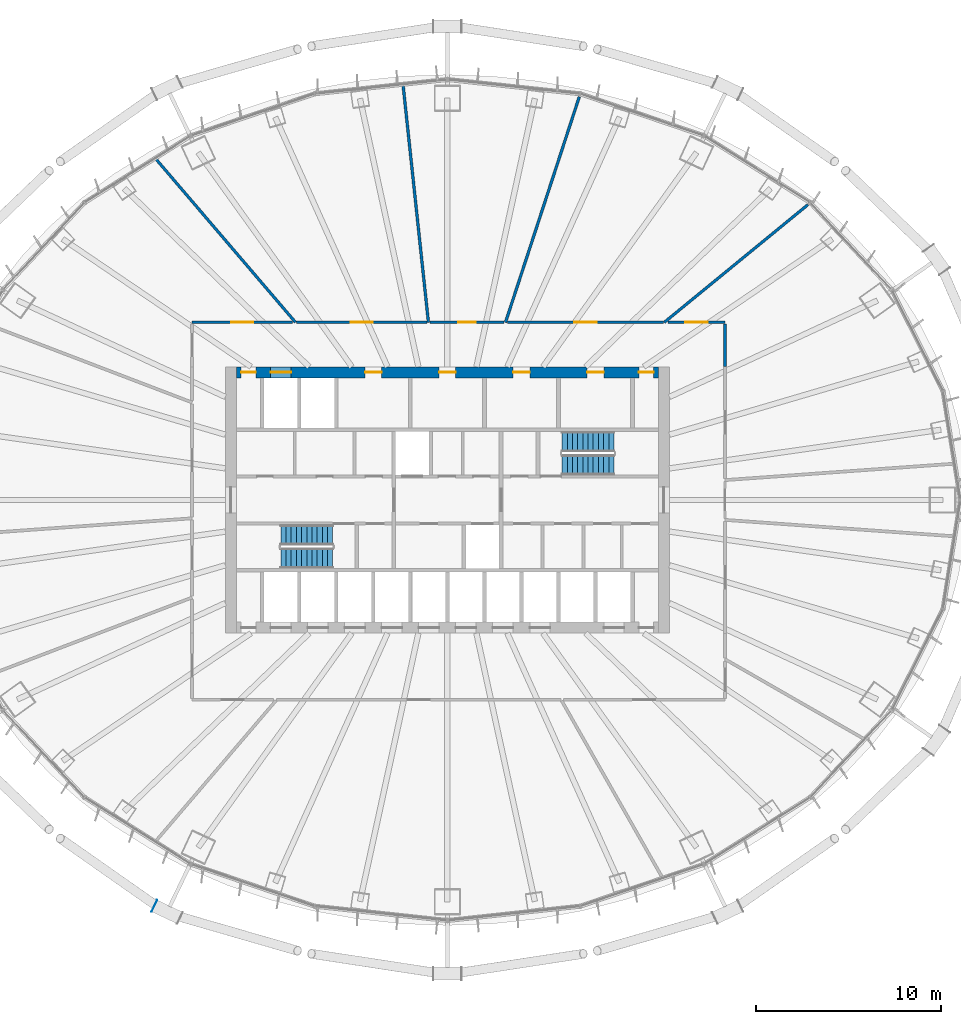
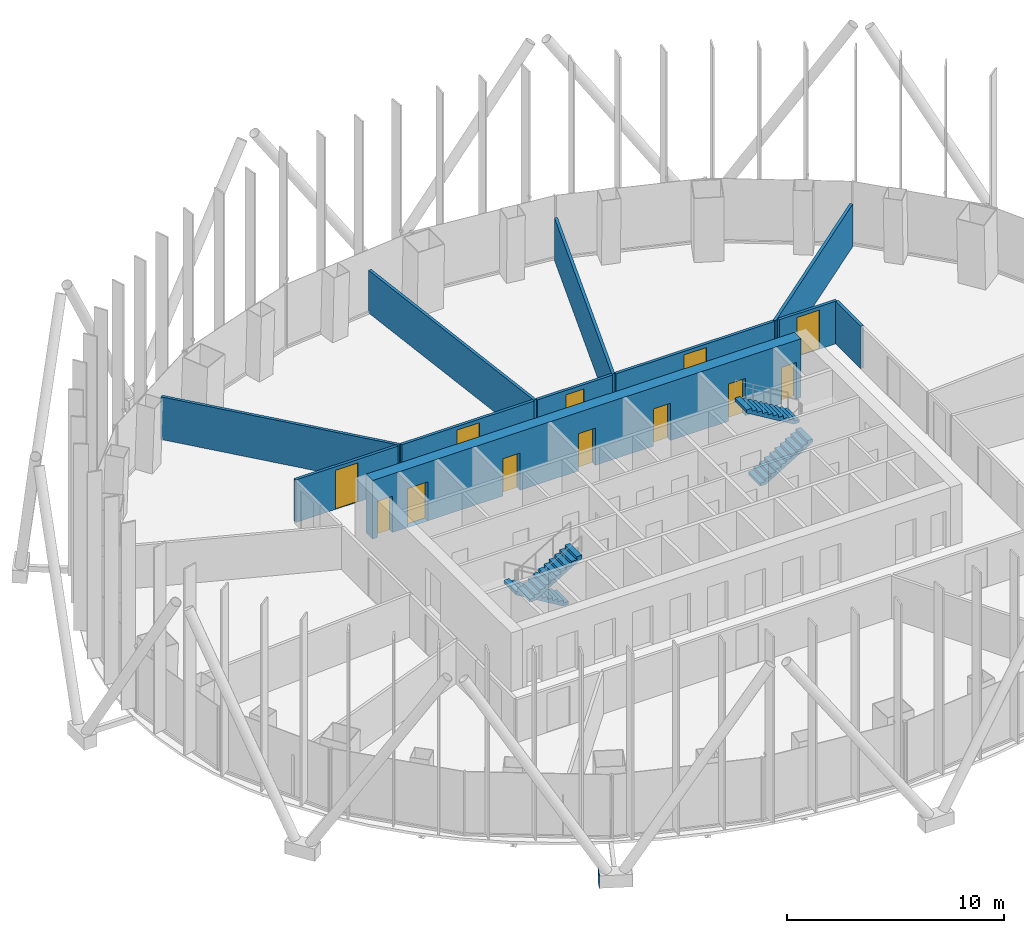
# One storey, part 10 of 22: 12 doors, 11 walls, 4 stair flights, 1 discrete accessory, 12 openings, 2 elements without a shape of their own.
"""IFC4 building model written with IfcOpenShell, lengths in metres."""

from ifc_helpers import new_model, si_unit, direction, frame, frame_2d, origin, origin_2d, place, context, subcontext, project, spatial, polyline, rectangle, outline, extrude, material, layer, layer_set, type_object, element, fill, aggregate, save


model = new_model("IFC4")

# Units and contexts
model_context = context("Model", 3, precision=1e-05, world=origin(), true_north=direction((0.0, 1.0)))
body_context = subcontext(model_context, "Body", "Model", "MODEL_VIEW")
ifc_project = project(units=[si_unit("LENGTHUNIT", "METRE"), si_unit("AREAUNIT", "SQUARE_METRE"), si_unit("VOLUMEUNIT", "CUBIC_METRE"), si_unit("PLANEANGLEUNIT", "RADIAN"), si_unit("MASSUNIT", "GRAM", prefix="KILO")], contexts=[model_context])

# Site, building, storey
site_placement = place(None, origin())
site = spatial("IfcSite", under=ifc_project, at=site_placement, CompositionType="ELEMENT")
building_placement = place(site_placement, origin())
building = spatial("IfcBuilding", under=site, at=building_placement, Name="Siaravel Broadcast Tower", CompositionType="ELEMENT")
storey_placement = place(building_placement, frame((0.0, 0.0, 48.199951171875)))
storey = spatial("IfcBuildingStorey", under=building, at=storey_placement, Name="L10", CompositionType="ELEMENT", Elevation=48.199951171875)

# Wall, openings, doors
ifc_material_1 = material(Name="Concrete C60/75", Category="concrete")
ifc_layer_1 = layer(ifc_material_1, 0.60009765625)
ifc_layer_set_1 = layer_set([ifc_layer_1], Name="Concrete C60/75")
wall_type_1 = type_object("IfcWallType", Name="Core wall 600", PredefinedType="SHEAR", material=ifc_layer_set_1)
wall_1_placement = place(storey_placement, frame((-11.39990234375, 6.89990234375, 0.0), z_axis=(0.0, 0.0, 1.0), x_axis=(1.0, 0.0, 0.0)))
wall_1 = element("IfcWall", 1, at=wall_1_placement, inside=storey, type_object=wall_type_1, Name="L10 core wall ON", PredefinedType="SHEAR", context=body_context, shape_type="SweptSolid", body=[
    extrude(rectangle(XDim=22.7998046875, YDim=0.60009765625, at=frame_2d((11.39990234375, 0.0))), origin(), (0.0, 0.0, 1.0), 3.300048828125),
])
opening_1_placement = place(wall_1_placement, frame((1.85009765625, 0.0, 0.0)))
opening_1 = element("IfcOpeningElement", 2, at=opening_1_placement, cuts=wall_1, Name="Opening LD-SV2-L10", PredefinedType="OPENING", context=body_context, shape_type="SweptSolid", body=[
    extrude(rectangle(XDim=1.10009765625, YDim=2.199951171875, at=frame_2d((0.550048828125, 1.10009765625))), frame((0.0, 0.31005859375, 0.0), z_axis=(0.0, -1.0, 0.0), x_axis=(1.0, 0.0, 0.0)), (0.0, 0.0, 1.0), 0.6201171875),
])
opening_2_placement = place(wall_1_placement, frame((6.949951171875, 0.0, 0.0)))
opening_2 = element("IfcOpeningElement", 3, at=opening_2_placement, cuts=wall_1, Name="Opening L10-DFN2", PredefinedType="OPENING", context=body_context, shape_type="SweptSolid", body=[
    extrude(rectangle(XDim=0.89990234375, YDim=2.10009765625, at=frame_2d((0.449951171875, 1.050048828125))), frame((0.0, 0.31005859375, 0.0), z_axis=(0.0, -1.0, 0.0), x_axis=(1.0, 0.0, 0.0)), (0.0, 0.0, 1.0), 0.6201171875),
])
opening_3_placement = place(wall_1_placement, frame((10.949951171875, 0.0, 0.0)))
opening_3 = element("IfcOpeningElement", 4, at=opening_3_placement, cuts=wall_1, Name="Opening L10-DFN4", PredefinedType="OPENING", context=body_context, shape_type="SweptSolid", body=[
    extrude(rectangle(XDim=0.89990234375, YDim=2.10009765625, at=frame_2d((0.449951171875, 1.050048828125))), frame((0.0, 0.31005859375, 0.0), z_axis=(0.0, -1.0, 0.0), x_axis=(1.0, 0.0, 0.0)), (0.0, 0.0, 1.0), 0.6201171875),
])
opening_4_placement = place(wall_1_placement, frame((14.949951171875, 0.0, 0.0)))
opening_4 = element("IfcOpeningElement", 5, at=opening_4_placement, cuts=wall_1, Name="Opening L10-DFN6", PredefinedType="OPENING", context=body_context, shape_type="SweptSolid", body=[
    extrude(rectangle(XDim=0.89990234375, YDim=2.10009765625, at=frame_2d((0.449951171875, 1.050048828125))), frame((0.0, 0.31005859375, 0.0), z_axis=(0.0, -1.0, 0.0), x_axis=(1.0, 0.0, 0.0)), (0.0, 0.0, 1.0), 0.6201171875),
])
opening_5_placement = place(wall_1_placement, frame((18.949951171875, 0.0, 0.0)))
opening_5 = element("IfcOpeningElement", 6, at=opening_5_placement, cuts=wall_1, Name="Opening L10-DFN8", PredefinedType="OPENING", context=body_context, shape_type="SweptSolid", body=[
    extrude(rectangle(XDim=0.89990234375, YDim=2.10009765625, at=frame_2d((0.449951171875, 1.050048828125))), frame((0.0, 0.31005859375, 0.0), z_axis=(0.0, -1.0, 0.0), x_axis=(1.0, 0.0, 0.0)), (0.0, 0.0, 1.0), 0.6201171875),
])
opening_6_placement = place(wall_1_placement, frame((0.25, 0.0, 0.0)))
opening_6 = element("IfcOpeningElement", 7, at=opening_6_placement, cuts=wall_1, Name="Opening L10-DRNW", PredefinedType="OPENING", context=body_context, shape_type="SweptSolid", body=[
    extrude(rectangle(XDim=0.800048828125, YDim=2.050048828125, at=frame_2d((0.39990234375, 1.02490234375))), frame((0.0, 0.31005859375, 0.0), z_axis=(0.0, -1.0, 0.0), x_axis=(1.0, 0.0, 0.0)), (0.0, 0.0, 1.0), 0.6201171875),
])
opening_7_placement = place(wall_1_placement, frame((21.75, 0.0, 0.0)))
opening_7 = element("IfcOpeningElement", 8, at=opening_7_placement, cuts=wall_1, Name="Opening L10-DRNE", PredefinedType="OPENING", context=body_context, shape_type="SweptSolid", body=[
    extrude(rectangle(XDim=0.800048828125, YDim=2.050048828125, at=frame_2d((0.39990234375, 1.02490234375))), frame((0.0, 0.31005859375, 0.0), z_axis=(0.0, -1.0, 0.0), x_axis=(1.0, 0.0, 0.0)), (0.0, 0.0, 1.0), 0.6201171875),
])
ifc_material_2 = material(Name="Timber veneer", Category="wood")
door_type_1 = type_object("IfcDoorType", Name="Core room door 900", OperationType="SINGLE_SWING_LEFT", PredefinedType="DOOR", material=ifc_material_2)
door_1_placement = place(opening_2_placement, origin())
door_1 = element("IfcDoor", 9, at=door_1_placement, inside=storey, type_object=door_type_1, Name="L10 door DFN2", OperationType="SINGLE_SWING_LEFT", OverallHeight=2.10009765625, OverallWidth=0.89990234375, PredefinedType="DOOR", context=body_context, shape_type="SweptSolid", body=[
    extrude(rectangle(XDim=0.89990234375, YDim=2.10009765625, at=frame_2d((0.449951171875, 1.050048828125))), frame((0.0, 0.02490234375, 0.0), z_axis=(0.0, -1.0, 0.0), x_axis=(1.0, 0.0, 0.0)), (0.0, 0.0, 1.0), 0.050048828125),
])
fill(opening_2, door_1)
door_2_placement = place(opening_3_placement, origin())
door_2 = element("IfcDoor", 10, at=door_2_placement, inside=storey, type_object=door_type_1, Name="L10 door DFN4", OperationType="SINGLE_SWING_LEFT", OverallHeight=2.10009765625, OverallWidth=0.89990234375, PredefinedType="DOOR", context=body_context, shape_type="SweptSolid", body=[
    extrude(rectangle(XDim=0.89990234375, YDim=2.10009765625, at=frame_2d((0.449951171875, 1.050048828125))), frame((0.0, 0.02490234375, 0.0), z_axis=(0.0, -1.0, 0.0), x_axis=(1.0, 0.0, 0.0)), (0.0, 0.0, 1.0), 0.050048828125),
])
fill(opening_3, door_2)
door_3_placement = place(opening_4_placement, origin())
door_3 = element("IfcDoor", 11, at=door_3_placement, inside=storey, type_object=door_type_1, Name="L10 door DFN6", OperationType="SINGLE_SWING_LEFT", OverallHeight=2.10009765625, OverallWidth=0.89990234375, PredefinedType="DOOR", context=body_context, shape_type="SweptSolid", body=[
    extrude(rectangle(XDim=0.89990234375, YDim=2.10009765625, at=frame_2d((0.449951171875, 1.050048828125))), frame((0.0, 0.02490234375, 0.0), z_axis=(0.0, -1.0, 0.0), x_axis=(1.0, 0.0, 0.0)), (0.0, 0.0, 1.0), 0.050048828125),
])
fill(opening_4, door_3)
door_4_placement = place(opening_5_placement, origin())
door_4 = element("IfcDoor", 12, at=door_4_placement, inside=storey, type_object=door_type_1, Name="L10 door DFN8", OperationType="SINGLE_SWING_LEFT", OverallHeight=2.10009765625, OverallWidth=0.89990234375, PredefinedType="DOOR", context=body_context, shape_type="SweptSolid", body=[
    extrude(rectangle(XDim=0.89990234375, YDim=2.10009765625, at=frame_2d((0.449951171875, 1.050048828125))), frame((0.0, 0.02490234375, 0.0), z_axis=(0.0, -1.0, 0.0), x_axis=(1.0, 0.0, 0.0)), (0.0, 0.0, 1.0), 0.050048828125),
])
fill(opening_5, door_4)
ifc_material_3 = material(Name="Steel", Category="steel")
door_type_2 = type_object("IfcDoorType", Name="Riser door 800", OperationType="SINGLE_SWING_LEFT", PredefinedType="DOOR", material=ifc_material_3)
door_5_placement = place(opening_6_placement, origin())
door_5 = element("IfcDoor", 13, at=door_5_placement, inside=storey, type_object=door_type_2, Name="L10 door DRNW", OperationType="SINGLE_SWING_LEFT", OverallHeight=2.050048828125, OverallWidth=0.800048828125, PredefinedType="DOOR", context=body_context, shape_type="SweptSolid", body=[
    extrude(rectangle(XDim=0.800048828125, YDim=2.050048828125, at=frame_2d((0.39990234375, 1.02490234375))), frame((0.0, 0.02490234375, 0.0), z_axis=(0.0, -1.0, 0.0), x_axis=(1.0, 0.0, 0.0)), (0.0, 0.0, 1.0), 0.050048828125),
])
fill(opening_6, door_5)
door_6_placement = place(opening_7_placement, origin())
door_6 = element("IfcDoor", 14, at=door_6_placement, inside=storey, type_object=door_type_2, Name="L10 door DRNE", OperationType="SINGLE_SWING_LEFT", OverallHeight=2.050048828125, OverallWidth=0.800048828125, PredefinedType="DOOR", context=body_context, shape_type="SweptSolid", body=[
    extrude(rectangle(XDim=0.800048828125, YDim=2.050048828125, at=frame_2d((0.39990234375, 1.02490234375))), frame((0.0, 0.02490234375, 0.0), z_axis=(0.0, -1.0, 0.0), x_axis=(1.0, 0.0, 0.0)), (0.0, 0.0, 1.0), 0.050048828125),
])
fill(opening_7, door_6)
ifc_material_4 = material(Name="Stainless steel 316L", Category="steel")
door_type_3 = type_object("IfcDoorType", Name="Service lift landing door 1100", OperationType="DOUBLE_DOOR_SLIDING", PredefinedType="DOOR", material=ifc_material_4)
door_7_placement = place(opening_1_placement, origin())
door_7 = element("IfcDoor", 15, at=door_7_placement, inside=storey, type_object=door_type_3, Name="Landing door SV2 L10", OperationType="DOUBLE_DOOR_SLIDING", OverallHeight=2.199951171875, OverallWidth=1.10009765625, PredefinedType="DOOR", context=body_context, shape_type="SweptSolid", body=[
    extrude(rectangle(XDim=1.10009765625, YDim=2.199951171875, at=frame_2d((0.550048828125, 1.10009765625))), frame((0.0, 0.02490234375, 0.0), z_axis=(0.0, -1.0, 0.0), x_axis=(1.0, 0.0, 0.0)), (0.0, 0.0, 1.0), 0.050048828125),
])
fill(opening_1, door_7)

# Wall, opening, door
ifc_material_5 = material(Name="Gypsum board partition", Category="gypsum")
ifc_layer_2 = layer(ifc_material_5, 0.14990234375)
ifc_layer_set_2 = layer_set([ifc_layer_2], Name="Gypsum board partition")
wall_type_2 = type_object("IfcWallType", Name="Corridor wall 150", PredefinedType="PARTITIONING", material=ifc_layer_set_2)
wall_2_placement = place(storey_placement, frame((11.67041015625, 9.60009765625, 0.0), z_axis=(0.0, 0.0, 1.0), x_axis=(-1.0, 0.0, 0.0)))
wall_2 = element("IfcWall", 16, at=wall_2_placement, inside=storey, type_object=wall_type_2, Name="L10 partition 15", PredefinedType="PARTITIONING", context=body_context, shape_type="SweptSolid", body=[
    extrude(rectangle(XDim=8.424560546875, YDim=0.14990234375, at=frame_2d((4.21240234375, 0.0))), origin(), (0.0, 0.0, 1.0), 2.400146484375),
])
opening_8_placement = place(wall_2_placement, frame((3.6123046875, 0.0, 0.0)))
opening_8 = element("IfcOpeningElement", 17, at=opening_8_placement, cuts=wall_2, Name="Opening L10-003", PredefinedType="OPENING", context=body_context, shape_type="SweptSolid", body=[
    extrude(rectangle(XDim=1.199951171875, YDim=2.199951171875, at=frame_2d((0.60009765625, 1.10009765625))), frame((0.0, 0.0849609375, 0.0), z_axis=(0.0, -1.0, 0.0), x_axis=(1.0, 0.0, 0.0)), (0.0, 0.0, 1.0), 0.169921875),
])
door_type_4 = type_object("IfcDoorType", Name="Office double door 1200", OperationType="DOUBLE_DOOR_SINGLE_SWING", PredefinedType="DOOR", material=ifc_material_2)
door_8_placement = place(opening_8_placement, origin())
door_8 = element("IfcDoor", 18, at=door_8_placement, inside=storey, type_object=door_type_4, Name="L10 door to Open plan newsroom", OperationType="DOUBLE_DOOR_SINGLE_SWING", OverallHeight=2.199951171875, OverallWidth=1.199951171875, PredefinedType="DOOR", context=body_context, shape_type="SweptSolid", body=[
    extrude(rectangle(XDim=1.199951171875, YDim=2.199951171875, at=frame_2d((0.60009765625, 1.10009765625))), frame((0.0, 0.02490234375, 0.0), z_axis=(0.0, -1.0, 0.0), x_axis=(1.0, 0.0, 0.0)), (0.0, 0.0, 1.0), 0.050048828125),
])
fill(opening_8, door_8)

wall_3_placement = place(storey_placement, frame((-1.11083984375, 9.60009765625, 0.0), z_axis=(0.0, 0.0, 1.0), x_axis=(-1.0, 0.0, 0.0)))
wall_3 = element("IfcWall", 19, at=wall_3_placement, inside=storey, type_object=wall_type_2, Name="L10 partition 16", PredefinedType="PARTITIONING", context=body_context, shape_type="SweptSolid", body=[
    extrude(rectangle(XDim=7.03662109375, YDim=0.14990234375, at=frame_2d((3.518310546875, 0.0))), origin(), (0.0, 0.0, 1.0), 2.400146484375),
])
opening_9_placement = place(wall_3_placement, frame((2.918212890625, 0.0, 0.0)))
opening_9 = element("IfcOpeningElement", 20, at=opening_9_placement, cuts=wall_3, Name="Opening L10-005", PredefinedType="OPENING", context=body_context, shape_type="SweptSolid", body=[
    extrude(rectangle(XDim=1.199951171875, YDim=2.199951171875, at=frame_2d((0.60009765625, 1.10009765625))), frame((0.0, 0.0849609375, 0.0), z_axis=(0.0, -1.0, 0.0), x_axis=(1.0, 0.0, 0.0)), (0.0, 0.0, 1.0), 0.169921875),
])
door_9_placement = place(opening_9_placement, origin())
door_9 = element("IfcDoor", 21, at=door_9_placement, inside=storey, type_object=door_type_4, Name="L10 door to Open plan newsroom", OperationType="DOUBLE_DOOR_SINGLE_SWING", OverallHeight=2.199951171875, OverallWidth=1.199951171875, PredefinedType="DOOR", context=body_context, shape_type="SweptSolid", body=[
    extrude(rectangle(XDim=1.199951171875, YDim=2.199951171875, at=frame_2d((0.60009765625, 1.10009765625))), frame((0.0, 0.02490234375, 0.0), z_axis=(0.0, -1.0, 0.0), x_axis=(1.0, 0.0, 0.0)), (0.0, 0.0, 1.0), 0.050048828125),
])
fill(opening_9, door_9)

wall_4_placement = place(storey_placement, frame((-8.37109375, 9.60009765625, 0.0), z_axis=(0.0, 0.0, 1.0), x_axis=(-1.0, 0.0, 0.0)))
wall_4 = element("IfcWall", 22, at=wall_4_placement, inside=storey, type_object=wall_type_2, Name="L10 partition 20", PredefinedType="PARTITIONING", context=body_context, shape_type="SweptSolid", body=[
    extrude(rectangle(XDim=5.428955078125, YDim=0.14990234375, at=frame_2d((2.71435546875, 0.0))), origin(), (0.0, 0.0, 1.0), 2.400146484375),
])
opening_10_placement = place(wall_4_placement, frame((2.114501953125, 0.0, 0.0)))
opening_10 = element("IfcOpeningElement", 23, at=opening_10_placement, cuts=wall_4, Name="Opening L10-006", PredefinedType="OPENING", context=body_context, shape_type="SweptSolid", body=[
    extrude(rectangle(XDim=1.199951171875, YDim=2.199951171875, at=frame_2d((0.60009765625, 1.10009765625))), frame((0.0, 0.0849609375, 0.0), z_axis=(0.0, -1.0, 0.0), x_axis=(1.0, 0.0, 0.0)), (0.0, 0.0, 1.0), 0.169921875),
])
door_10_placement = place(opening_10_placement, origin())
door_10 = element("IfcDoor", 24, at=door_10_placement, inside=storey, type_object=door_type_4, Name="L10 door to Open plan newsroom", OperationType="DOUBLE_DOOR_SINGLE_SWING", OverallHeight=2.199951171875, OverallWidth=1.199951171875, PredefinedType="DOOR", context=body_context, shape_type="SweptSolid", body=[
    extrude(rectangle(XDim=1.199951171875, YDim=2.199951171875, at=frame_2d((0.60009765625, 1.10009765625))), frame((0.0, 0.02490234375, 0.0), z_axis=(0.0, -1.0, 0.0), x_axis=(1.0, 0.0, 0.0)), (0.0, 0.0, 1.0), 0.050048828125),
])
fill(opening_10, door_10)

wall_5_placement = place(storey_placement, frame((3.067138671875, 9.60009765625, 0.0), z_axis=(0.0, 0.0, 1.0), x_axis=(-1.0, 0.0, 0.0)))
wall_5 = element("IfcWall", 25, at=wall_5_placement, inside=storey, type_object=wall_type_2, Name="L10 partition 23", PredefinedType="PARTITIONING", context=body_context, shape_type="SweptSolid", body=[
    extrude(rectangle(XDim=4.015869140625, YDim=0.14990234375, at=frame_2d((2.0078125, 0.0))), origin(), (0.0, 0.0, 1.0), 2.400146484375),
])
opening_11_placement = place(wall_5_placement, frame((1.532958984375, 0.0, 0.0)))
opening_11 = element("IfcOpeningElement", 26, at=opening_11_placement, cuts=wall_5, Name="Opening L10-004", PredefinedType="OPENING", context=body_context, shape_type="SweptSolid", body=[
    extrude(rectangle(XDim=0.949951171875, YDim=2.14990234375, at=frame_2d((0.47509765625, 1.074951171875))), frame((0.0, 0.0849609375, 0.0), z_axis=(0.0, -1.0, 0.0), x_axis=(1.0, 0.0, 0.0)), (0.0, 0.0, 1.0), 0.169921875),
])
door_type_5 = type_object("IfcDoorType", Name="Office door 950", OperationType="SINGLE_SWING_LEFT", PredefinedType="DOOR", material=ifc_material_2)
door_11_placement = place(opening_11_placement, origin())
door_11 = element("IfcDoor", 27, at=door_11_placement, inside=storey, type_object=door_type_5, Name="L10 door to Production office", OperationType="SINGLE_SWING_RIGHT", OverallHeight=2.14990234375, OverallWidth=0.949951171875, PredefinedType="DOOR", context=body_context, shape_type="SweptSolid", body=[
    extrude(rectangle(XDim=0.949951171875, YDim=2.14990234375, at=frame_2d((0.47509765625, 1.074951171875))), frame((0.0, 0.02490234375, 0.0), z_axis=(0.0, -1.0, 0.0), x_axis=(1.0, 0.0, 0.0)), (0.0, 0.0, 1.0), 0.050048828125),
])
fill(opening_11, door_11)

wall_6_placement = place(storey_placement, frame((15.0, 9.60009765625, 0.0), z_axis=(0.0, 0.0, 1.0), x_axis=(-1.0, 0.0, 0.0)))
wall_6 = element("IfcWall", 28, at=wall_6_placement, inside=storey, type_object=wall_type_2, Name="L10 partition 25", PredefinedType="PARTITIONING", context=body_context, shape_type="SweptSolid", body=[
    extrude(rectangle(XDim=3.068115234375, YDim=0.14990234375, at=frame_2d((1.5341796875, 0.0))), origin(), (0.0, 0.0, 1.0), 2.400146484375),
])
opening_12_placement = place(wall_6_placement, frame((0.93408203125, 0.0, 0.0)))
opening_12 = element("IfcOpeningElement", 29, at=opening_12_placement, cuts=wall_6, Name="Opening L10-002", PredefinedType="OPENING", context=body_context, shape_type="SweptSolid", body=[
    extrude(rectangle(XDim=1.199951171875, YDim=2.199951171875, at=frame_2d((0.60009765625, 1.10009765625))), frame((0.0, 0.0849609375, 0.0), z_axis=(0.0, -1.0, 0.0), x_axis=(1.0, 0.0, 0.0)), (0.0, 0.0, 1.0), 0.169921875),
])
door_12_placement = place(opening_12_placement, origin())
door_12 = element("IfcDoor", 30, at=door_12_placement, inside=storey, type_object=door_type_4, Name="L10 door to Open plan newsroom", OperationType="DOUBLE_DOOR_SINGLE_SWING", OverallHeight=2.199951171875, OverallWidth=1.199951171875, PredefinedType="DOOR", context=body_context, shape_type="SweptSolid", body=[
    extrude(rectangle(XDim=1.199951171875, YDim=2.199951171875, at=frame_2d((0.60009765625, 1.10009765625))), frame((0.0, 0.02490234375, 0.0), z_axis=(0.0, -1.0, 0.0), x_axis=(1.0, 0.0, 0.0)), (0.0, 0.0, 1.0), 0.050048828125),
])
fill(opening_12, door_12)

# Walls
wall_7_placement = place(storey_placement, frame((15.0, 7.212890625, 0.0), z_axis=(0.0, 0.0, 1.0), x_axis=(0.0, 1.0, 0.0)))
element("IfcWall", 31, at=wall_7_placement, inside=storey, type_object=wall_type_2, Name="L10 partition 27", PredefinedType="PARTITIONING", context=body_context, shape_type="SweptSolid", body=[
    extrude(rectangle(XDim=2.31005859375, YDim=0.14990234375, at=frame_2d((1.155029296875, 0.0))), origin(), (0.0, 0.0, 1.0), 2.400146484375),
])
ifc_layer_3 = layer(ifc_material_5, 0.14990234375)
ifc_layer_set_3 = layer_set([ifc_layer_3], Name="Gypsum board partition")
wall_type_3 = type_object("IfcWallType", Name="Room partition 150", PredefinedType="PARTITIONING", material=ifc_layer_set_3)
wall_8_placement = place(storey_placement, frame((-2.39990234375, 22.468994140625, 0.0), z_axis=(0.0, 0.0, 1.0), x_axis=(0.106204745, -0.994344283, 0.0)))
element("IfcWall", 32, at=wall_8_placement, inside=storey, type_object=wall_type_3, Name="L10 partition 3", PredefinedType="PARTITIONING", context=body_context, shape_type="SweptSolid", body=[
    extrude(rectangle(XDim=12.942138671875, YDim=0.14990234375, at=frame_2d((6.47119140625, 0.0))), origin(), (0.0, 0.0, 1.0), 2.400146484375),
])
wall_9_placement = place(storey_placement, frame((7.126953125, 21.787109375, 0.0), z_axis=(0.0, 0.0, 1.0), x_axis=(-0.310904913, -0.950441021, 0.0)))
element("IfcWall", 33, at=wall_9_placement, inside=storey, type_object=wall_type_3, Name="L10 partition 4", PredefinedType="PARTITIONING", context=body_context, shape_type="SweptSolid", body=[
    extrude(rectangle(XDim=12.822509765625, YDim=0.14990234375, at=frame_2d((6.4111328125, 0.0))), origin(), (0.0, 0.0, 1.0), 2.400146484375),
])
wall_10_placement = place(storey_placement, frame((-15.799072265625, 18.481689453125, 0.0), z_axis=(0.0, 0.0, 1.0), x_axis=(0.64979108, -0.760112855, 0.0)))
element("IfcWall", 34, at=wall_10_placement, inside=storey, type_object=wall_type_3, Name="L10 partition 9", PredefinedType="PARTITIONING", context=body_context, shape_type="SweptSolid", body=[
    extrude(rectangle(XDim=11.6845703125, YDim=0.14990234375, at=frame_2d((5.84228515625, 0.0))), origin(), (0.0, 0.0, 1.0), 2.400146484375),
])
wall_11_placement = place(storey_placement, frame((19.478515625, 15.955078125, 0.0), z_axis=(0.0, 0.0, 1.0), x_axis=(-0.773611193, -0.633660573, 0.0)))
element("IfcWall", 35, at=wall_11_placement, inside=storey, type_object=wall_type_3, Name="L10 partition 12", PredefinedType="PARTITIONING", context=body_context, shape_type="SweptSolid", body=[
    extrude(rectangle(XDim=10.029052734375, YDim=0.14990234375, at=frame_2d((5.0146484375, 0.0))), origin(), (0.0, 0.0, 1.0), 2.400146484375),
])

# Stair, stair flights
ifc_material_6 = material(Name="Concrete C40/50", Category="concrete")
stair_type = type_object("IfcStairType", Name="Core exit stair", PredefinedType="HALF_TURN_STAIR", material=ifc_material_6)
stair_1_placement = place(storey_placement, origin())
stair_1 = element("IfcStair", 36, at=stair_1_placement, inside=storey, type_object=stair_type, Name="L10 Exit stair ST-1", PredefinedType="HALF_TURN_STAIR")
stair_flight_type = type_object("IfcStairFlightType", Name="Stair flight 1100", PredefinedType="STRAIGHT", material=ifc_material_6)
stair_flight_1_placement = place(storey_placement, frame((-6.199951171875, -1.89990234375, 0.0), z_axis=(0.0, 0.0, 1.0), x_axis=(-1.0, 0.0, 0.0)))
stair_flight_1 = element("IfcStairFlight", 37, at=stair_flight_1_placement, type_object=stair_flight_type, Name="ST-1 flight 1", NumberOfRisers=11, NumberOfTreads=10, PredefinedType="STRAIGHT", RiserHeight=0.1681818, TreadLength=0.28, context=body_context, shape_type="SweptSolid", body=[
    extrude(outline(polyline([(0.0, 0.0), (0.0, 0.168212890625), (0.280029296875, 0.168212890625), (0.280029296875, 0.33642578125), (0.56005859375, 0.33642578125), (0.56005859375, 0.504638671875), (0.840087890625, 0.504638671875), (0.840087890625, 0.672607421875), (1.1201171875, 0.672607421875), (1.1201171875, 0.8408203125), (1.39990234375, 0.8408203125), (1.39990234375, 1.009033203125), (1.679931640625, 1.009033203125), (1.679931640625, 1.17724609375), (1.9599609375, 1.17724609375), (1.9599609375, 1.345458984375), (2.239990234375, 1.345458984375), (2.239990234375, 1.513671875), (2.52001953125, 1.513671875), (2.52001953125, 1.681884765625), (2.800048828125, 1.681884765625), (2.800048828125, 1.85009765625), (2.800048828125, 1.5068359375), (0.291015625, 0.0), (0.0, 0.0)])), frame((0.0, 0.550048828125, 0.0), z_axis=(0.0, -1.0, 0.0), x_axis=(1.0, 0.0, 0.0)), (0.0, 0.0, 1.0), 1.10009765625),
])
stair_flight_2_placement = place(storey_placement, frame((-9.0, -3.14990234375, 1.85009765625), z_axis=(0.0, 0.0, 1.0), x_axis=(1.0, 0.0, 0.0)))
stair_flight_2 = element("IfcStairFlight", 38, at=stair_flight_2_placement, type_object=stair_flight_type, Name="ST-1 flight 2", NumberOfRisers=11, NumberOfTreads=10, PredefinedType="STRAIGHT", RiserHeight=0.1681818, TreadLength=0.28, context=body_context, shape_type="SweptSolid", body=[
    extrude(outline(polyline([(0.0, 0.0), (0.0, 0.168212890625), (0.280029296875, 0.168212890625), (0.280029296875, 0.33642578125), (0.56005859375, 0.33642578125), (0.56005859375, 0.504638671875), (0.840087890625, 0.504638671875), (0.840087890625, 0.672607421875), (1.1201171875, 0.672607421875), (1.1201171875, 0.8408203125), (1.39990234375, 0.8408203125), (1.39990234375, 1.009033203125), (1.679931640625, 1.009033203125), (1.679931640625, 1.17724609375), (1.9599609375, 1.17724609375), (1.9599609375, 1.345458984375), (2.239990234375, 1.345458984375), (2.239990234375, 1.513671875), (2.52001953125, 1.513671875), (2.52001953125, 1.681884765625), (2.800048828125, 1.681884765625), (2.800048828125, 1.85009765625), (2.800048828125, 1.5068359375), (0.291015625, 0.0), (0.0, 0.0)])), frame((0.0, 0.550048828125, 0.0), z_axis=(0.0, -1.0, 0.0), x_axis=(1.0, 0.0, 0.0)), (0.0, 0.0, 1.0), 1.10009765625),
])
aggregate(stair_1, [stair_flight_1, stair_flight_2])

stair_2_placement = place(storey_placement, origin())
stair_2 = element("IfcStair", 39, at=stair_2_placement, inside=storey, type_object=stair_type, Name="L10 Exit stair ST-2", PredefinedType="HALF_TURN_STAIR")
stair_flight_3_placement = place(storey_placement, frame((6.199951171875, 1.89990234375, 0.0), z_axis=(0.0, 0.0, 1.0), x_axis=(1.0, 0.0, 0.0)))
stair_flight_3 = element("IfcStairFlight", 40, at=stair_flight_3_placement, type_object=stair_flight_type, Name="ST-2 flight 1", NumberOfRisers=11, NumberOfTreads=10, PredefinedType="STRAIGHT", RiserHeight=0.1681818, TreadLength=0.28, context=body_context, shape_type="SweptSolid", body=[
    extrude(outline(polyline([(0.0, 0.0), (0.0, 0.168212890625), (0.280029296875, 0.168212890625), (0.280029296875, 0.33642578125), (0.56005859375, 0.33642578125), (0.56005859375, 0.504638671875), (0.840087890625, 0.504638671875), (0.840087890625, 0.672607421875), (1.1201171875, 0.672607421875), (1.1201171875, 0.8408203125), (1.39990234375, 0.8408203125), (1.39990234375, 1.009033203125), (1.679931640625, 1.009033203125), (1.679931640625, 1.17724609375), (1.9599609375, 1.17724609375), (1.9599609375, 1.345458984375), (2.239990234375, 1.345458984375), (2.239990234375, 1.513671875), (2.52001953125, 1.513671875), (2.52001953125, 1.681884765625), (2.800048828125, 1.681884765625), (2.800048828125, 1.85009765625), (2.800048828125, 1.5068359375), (0.291015625, 0.0), (0.0, 0.0)])), frame((0.0, 0.550048828125, 0.0), z_axis=(0.0, -1.0, 0.0), x_axis=(1.0, 0.0, 0.0)), (0.0, 0.0, 1.0), 1.10009765625),
])
stair_flight_4_placement = place(storey_placement, frame((9.0, 3.14990234375, 1.85009765625), z_axis=(0.0, 0.0, 1.0), x_axis=(-1.0, 0.0, 0.0)))
stair_flight_4 = element("IfcStairFlight", 41, at=stair_flight_4_placement, type_object=stair_flight_type, Name="ST-2 flight 2", NumberOfRisers=11, NumberOfTreads=10, PredefinedType="STRAIGHT", RiserHeight=0.1681818, TreadLength=0.28, context=body_context, shape_type="SweptSolid", body=[
    extrude(outline(polyline([(0.0, 0.0), (0.0, 0.168212890625), (0.280029296875, 0.168212890625), (0.280029296875, 0.33642578125), (0.56005859375, 0.33642578125), (0.56005859375, 0.504638671875), (0.840087890625, 0.504638671875), (0.840087890625, 0.672607421875), (1.1201171875, 0.672607421875), (1.1201171875, 0.8408203125), (1.39990234375, 0.8408203125), (1.39990234375, 1.009033203125), (1.679931640625, 1.009033203125), (1.679931640625, 1.17724609375), (1.9599609375, 1.17724609375), (1.9599609375, 1.345458984375), (2.239990234375, 1.345458984375), (2.239990234375, 1.513671875), (2.52001953125, 1.513671875), (2.52001953125, 1.681884765625), (2.800048828125, 1.681884765625), (2.800048828125, 1.85009765625), (2.800048828125, 1.5068359375), (0.291015625, 0.0), (0.0, 0.0)])), frame((0.0, 0.550048828125, 0.0), z_axis=(0.0, -1.0, 0.0), x_axis=(1.0, 0.0, 0.0)), (0.0, 0.0, 1.0), 1.10009765625),
])
aggregate(stair_2, [stair_flight_3, stair_flight_4])

# Discrete accessory
ifc_material_7 = material(Name="Steel S355", Category="steel")
ifc_layer_4 = layer(ifc_material_7, 0.02001953125)
ifc_layer_set_4 = layer_set([ifc_layer_4], Name="Steel S355")
discrete_accessory_type = type_object("IfcDiscreteAccessoryType", Name="Steel end plate 20 mm", PredefinedType="USERDEFINED", material=ifc_layer_set_4)
discrete_accessory_placement = place(storey_placement, frame((-15.834716796875, -21.933349609375, -0.5498046875), z_axis=(0.0, 0.0, 1.0), x_axis=(0.904006456, -0.427518805, 0.0)))
element("IfcDiscreteAccessory", 42, at=discrete_accessory_placement, inside=storey, type_object=discrete_accessory_type, Name="End plate R05 station 48B", ObjectType="END PLATE", PredefinedType="USERDEFINED", context=body_context, shape_type="SweptSolid", body=[
    extrude(rectangle(XDim=0.02001953125, YDim=0.699951171875, at=origin_2d()), origin(), (0.0, 0.0, 1.0), 0.699951171875),
])

save(model, "model.ifc")
